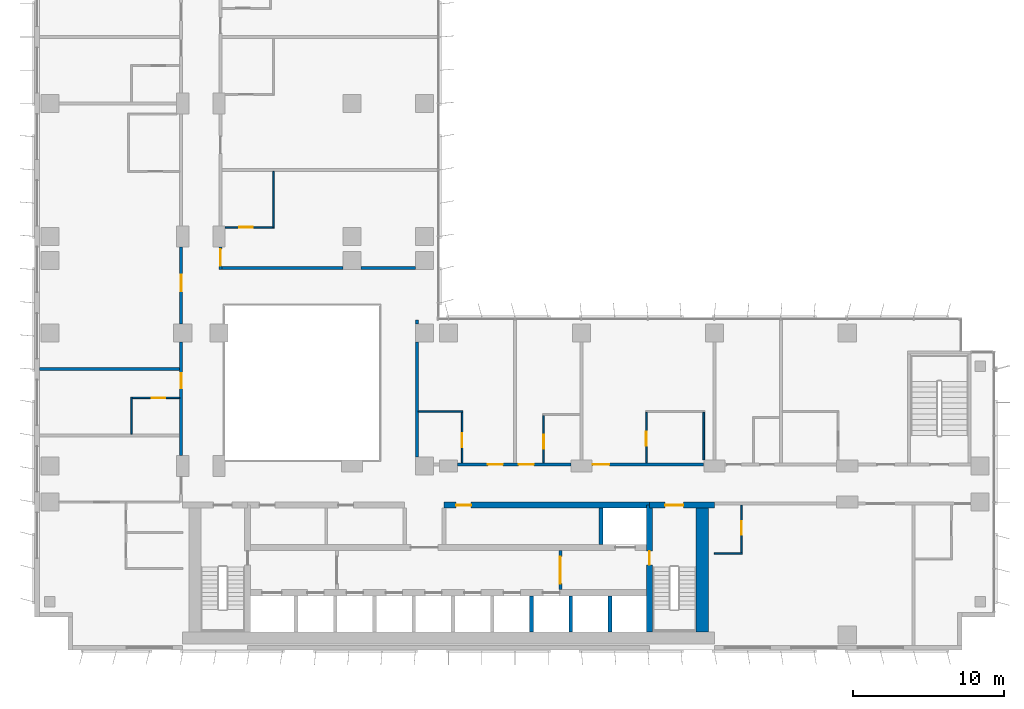
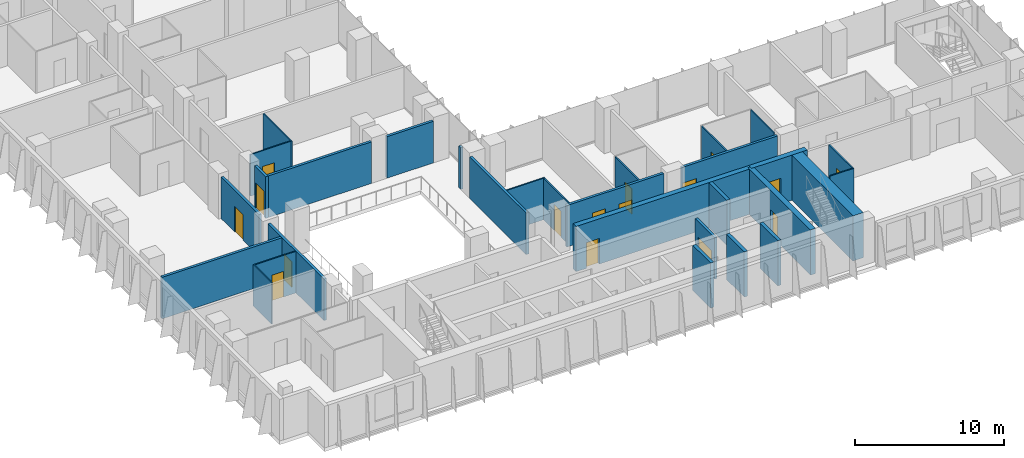
# One storey, part 13 of 22: 30 walls, 16 doors, 16 openings.
"""IFC4 building model written with IfcOpenShell, lengths in metres."""

from ifc_helpers import new_model, si_unit, direction, frame, frame_2d, origin, place, context, subcontext, project, spatial, rectangle, extrude, material, layer, layer_set, type_object, element, fill, save


model = new_model("IFC4")

# Units and contexts
model_context = context("Model", 3, precision=1e-05, world=origin(), true_north=direction((0.0, 1.0)))
body_context = subcontext(model_context, "Body", "Model", "MODEL_VIEW")
ifc_project = project(units=[si_unit("LENGTHUNIT", "METRE"), si_unit("AREAUNIT", "SQUARE_METRE"), si_unit("VOLUMEUNIT", "CUBIC_METRE"), si_unit("PLANEANGLEUNIT", "RADIAN"), si_unit("MASSUNIT", "GRAM", prefix="KILO")], contexts=[model_context])

# Site, building, storey
site_placement = place(None, origin())
site = spatial("IfcSite", under=ifc_project, at=site_placement, CompositionType="ELEMENT")
building_placement = place(site_placement, origin())
building = spatial("IfcBuilding", under=site, at=building_placement, Name="Kemantara Hotel Tower", CompositionType="ELEMENT")
storey_placement = place(building_placement, frame((0.0, 0.0, 90.800048828125)))
storey = spatial("IfcBuildingStorey", under=building, at=storey_placement, Name="L21", CompositionType="ELEMENT", Elevation=90.800048828125)

# Walls
ifc_material_1 = material(Name="Concrete fc 70 MPa", Category="concrete")
ifc_layer_1 = layer(ifc_material_1, 0.25)
ifc_layer_set_1 = layer_set([ifc_layer_1], Name="Concrete fc 70 MPa")
wall_type_1 = type_object("IfcWallType", Name="CORE WALL 250 FC70", PredefinedType="SHEAR", material=ifc_layer_set_1)
for number, where, z_axis, x_axis, name in (
    (1, (32.89990234375, 1.199951171875, 0.0), (0.0, 0.0, 1.0), (0.0, 1.0, 0.0), "CORE WALL CW-DS32.9"),
    (2, (35.5, 1.199951171875, 0.0), (0.0, 0.0, 1.0), (0.0, 1.0, 0.0), "CORE WALL CW-DS35.5"),
    (3, (38.10009765625, 1.199951171875, 0.0), (0.0, 0.0, 1.0), (0.0, 1.0, 0.0), "CORE WALL CW-DS38.1"),
):
    element("IfcWall", number, at=place(storey_placement, frame(where, z_axis=z_axis, x_axis=x_axis)), inside=storey, type_object=wall_type_1, Name=name, PredefinedType="SHEAR", context=body_context, shape_type="SweptSolid", body=[
        extrude(rectangle(XDim=2.400146484375, YDim=0.25, at=frame_2d((1.2001953125, 0.0))), origin(), (0.0, 0.0, 1.0), 3.699951171875),
    ])
wall_1_placement = place(storey_placement, frame((37.5, 7.0, 0.0), z_axis=(0.0, 0.0, 1.0), x_axis=(0.0, 1.0, 0.0)))
element("IfcWall", 4, at=wall_1_placement, inside=storey, type_object=wall_type_1, Name="CORE WALL CW-DN37.5", PredefinedType="SHEAR", context=body_context, shape_type="SweptSolid", body=[
    extrude(rectangle(XDim=2.39990234375, YDim=0.25, at=frame_2d((1.199951171875, 0.0))), origin(), (0.0, 0.0, 1.0), 3.699951171875),
])

# Wall, opening, door
ifc_layer_2 = layer(ifc_material_1, 0.39990234375)
ifc_layer_set_2 = layer_set([ifc_layer_2], Name="Concrete fc 70 MPa")
wall_type_2 = type_object("IfcWallType", Name="CORE WALL 400 FC70", PredefinedType="SHEAR", material=ifc_layer_set_2)
wall_2_placement = place(storey_placement, frame((40.699951171875, 9.60009765625, 0.0), z_axis=(0.0, 0.0, 1.0), x_axis=(1.0, 0.0, 0.0)))
wall_2 = element("IfcWall", 5, at=wall_2_placement, inside=storey, type_object=wall_type_2, Name="CORE WALL CW-N2", PredefinedType="SHEAR", context=body_context, shape_type="SweptSolid", body=[
    extrude(rectangle(XDim=4.300048828125, YDim=0.39990234375, at=frame_2d((2.14990234375, 0.0))), origin(), (0.0, 0.0, 1.0), 3.699951171875),
])
opening_1_placement = place(wall_2_placement, frame((1.050048828125, 0.0, 0.0)))
opening_1 = element("IfcOpeningElement", 6, at=opening_1_placement, cuts=wall_2, Name="Opening C15-ST2-C", PredefinedType="OPENING", context=body_context, shape_type="SweptSolid", body=[
    extrude(rectangle(XDim=1.199951171875, YDim=2.10009765625, at=frame_2d((0.60009765625, 1.050048828125))), frame((0.0, 0.2099609375, 0.0), z_axis=(0.0, -1.0, 0.0), x_axis=(1.0, 0.0, 0.0)), (0.0, 0.0, 1.0), 0.419921875),
])
ifc_material_2 = material(Name="Steel fire door", Category="steel")
door_type_1 = type_object("IfcDoorType", Name="Fire door FD90 1200 x 2100", OperationType="NOTDEFINED", PredefinedType="DOOR", material=ifc_material_2)
door_1_placement = place(opening_1_placement, frame((1.199951171875, 0.0, 0.0), z_axis=(0.0, 0.0, 1.0), x_axis=(-1.0, 0.0, 0.0)))
door_1 = element("IfcDoor", 7, at=door_1_placement, inside=storey, type_object=door_type_1, Name="Stair ST2 door to corridor", OperationType="SINGLE_SWING_RIGHT", OverallHeight=2.10009765625, OverallWidth=1.199951171875, PredefinedType="DOOR", context=body_context, shape_type="SweptSolid", body=[
    extrude(rectangle(XDim=1.199951171875, YDim=2.10009765625, at=frame_2d((0.60009765625, 1.050048828125))), frame((0.0, 0.02490234375, 0.0), z_axis=(0.0, -1.0, 0.0), x_axis=(1.0, 0.0, 0.0)), (0.0, 0.0, 1.0), 0.050048828125),
])
fill(opening_1, door_1)

wall_3_placement = place(storey_placement, frame((27.10009765625, 9.60009765625, 0.0), z_axis=(0.0, 0.0, 1.0), x_axis=(1.0, 0.0, 0.0)))
wall_3 = element("IfcWall", 8, at=wall_3_placement, inside=storey, type_object=wall_type_2, Name="CORE WALL CW-NN2", PredefinedType="SHEAR", context=body_context, shape_type="SweptSolid", body=[
    extrude(rectangle(XDim=13.599853515625, YDim=0.39990234375, at=frame_2d((6.7998046875, 0.0))), origin(), (0.0, 0.0, 1.0), 3.699951171875),
])
opening_2_placement = place(wall_3_placement, frame((0.800048828125, 0.0, 0.0)))
opening_2 = element("IfcOpeningElement", 9, at=opening_2_placement, cuts=wall_3, Name="Opening C15-R-NE1", PredefinedType="OPENING", context=body_context, shape_type="SweptSolid", body=[
    extrude(rectangle(XDim=1.0, YDim=2.10009765625, at=frame_2d((0.5, 1.050048828125))), frame((0.0, 0.2099609375, 0.0), z_axis=(0.0, -1.0, 0.0), x_axis=(1.0, 0.0, 0.0)), (0.0, 0.0, 1.0), 0.419921875),
])
door_type_2 = type_object("IfcDoorType", Name="Fire door FD30S 1000 x 2100", OperationType="NOTDEFINED", PredefinedType="DOOR", material=ifc_material_2)
door_2_placement = place(opening_2_placement, frame((1.0, 0.0, 0.0), z_axis=(0.0, 0.0, 1.0), x_axis=(-1.0, 0.0, 0.0)))
door_2 = element("IfcDoor", 10, at=door_2_placement, inside=storey, type_object=door_type_2, Name="Luggage Store door", OperationType="SINGLE_SWING_RIGHT", OverallHeight=2.10009765625, OverallWidth=1.0, PredefinedType="DOOR", context=body_context, shape_type="SweptSolid", body=[
    extrude(rectangle(XDim=1.0, YDim=2.10009765625, at=frame_2d((0.5, 1.050048828125))), frame((0.0, 0.02490234375, 0.0), z_axis=(0.0, -1.0, 0.0), x_axis=(1.0, 0.0, 0.0)), (0.0, 0.0, 1.0), 0.050048828125),
])
fill(opening_2, door_2)

wall_4_placement = place(storey_placement, frame((40.699951171875, 1.199951171875, 0.0), z_axis=(0.0, 0.0, 1.0), x_axis=(0.0, 1.0, 0.0)))
wall_4 = element("IfcWall", 11, at=wall_4_placement, inside=storey, type_object=wall_type_2, Name="CORE WALL CW-ST2W", PredefinedType="SHEAR", context=body_context, shape_type="SweptSolid", body=[
    extrude(rectangle(XDim=8.400146484375, YDim=0.39990234375, at=frame_2d((4.2001953125, 0.0))), origin(), (0.0, 0.0, 1.0), 3.699951171875),
])
opening_3_placement = place(wall_4_placement, frame((4.449951171875, 0.0, 0.0)))
opening_3 = element("IfcOpeningElement", 12, at=opening_3_placement, cuts=wall_4, Name="Opening C15-ST2-F", PredefinedType="OPENING", context=body_context, shape_type="SweptSolid", body=[
    extrude(rectangle(XDim=0.89990234375, YDim=2.10009765625, at=frame_2d((0.449951171875, 1.050048828125))), frame((0.0, 0.2099609375, 0.0), z_axis=(0.0, -1.0, 0.0), x_axis=(1.0, 0.0, 0.0)), (0.0, 0.0, 1.0), 0.419921875),
])
door_type_3 = type_object("IfcDoorType", Name="Fire door FD90 900 x 2100", OperationType="NOTDEFINED", PredefinedType="DOOR", material=ifc_material_2)
door_3_placement = place(opening_3_placement, frame((0.89990234375, 0.0, 0.0), z_axis=(0.0, 0.0, 1.0), x_axis=(-1.0, 0.0, 0.0)))
door_3 = element("IfcDoor", 13, at=door_3_placement, inside=storey, type_object=door_type_3, Name="Stair ST2 door to firefighting lobby", OperationType="SINGLE_SWING_LEFT", OverallHeight=2.10009765625, OverallWidth=0.89990234375, PredefinedType="DOOR", context=body_context, shape_type="SweptSolid", body=[
    extrude(rectangle(XDim=0.89990234375, YDim=2.10009765625, at=frame_2d((0.449951171875, 1.050048828125))), frame((0.0, 0.02490234375, 0.0), z_axis=(0.0, -1.0, 0.0), x_axis=(1.0, 0.0, 0.0)), (0.0, 0.0, 1.0), 0.050048828125),
])
fill(opening_3, door_3)

# Wall
ifc_layer_3 = layer(ifc_material_1, 0.800048828125)
ifc_layer_set_3 = layer_set([ifc_layer_3], Name="Concrete fc 70 MPa")
wall_type_3 = type_object("IfcWallType", Name="CORE WALL 800 FC70", PredefinedType="SHEAR", material=ifc_layer_set_3)
wall_5_placement = place(storey_placement, frame((44.199951171875, 1.199951171875, 0.0), z_axis=(0.0, 0.0, 1.0), x_axis=(0.0, 1.0, 0.0)))
element("IfcWall", 14, at=wall_5_placement, inside=storey, type_object=wall_type_3, Name="CORE WALL CW-E", PredefinedType="SHEAR", context=body_context, shape_type="SweptSolid", body=[
    extrude(rectangle(XDim=8.60009765625, YDim=0.800048828125, at=frame_2d((4.300048828125, 0.0))), origin(), (0.0, 0.0, 1.0), 3.699951171875),
])

# Wall, openings, doors
ifc_material_3 = material(Name="Gypsum board partition, steel studs and mineral wool, 200 mm", Category="steel")
ifc_layer_4 = layer(ifc_material_3, 0.199951171875)
ifc_layer_set_4 = layer_set([ifc_layer_4], Name="Gypsum board partition, steel studs and mineral wool, 200 mm")
wall_type_4 = type_object("IfcWallType", Name="CORRIDOR WALL 200", PredefinedType="PARTITIONING", material=ifc_layer_set_4)
wall_6_placement = place(storey_placement, frame((28.0, 12.300048828125, 0.0), z_axis=(0.0, 0.0, 1.0), x_axis=(1.0, 0.0, 0.0)))
wall_6 = element("IfcWall", 15, at=wall_6_placement, inside=storey, type_object=wall_type_4, Name="CORRIDOR WALL 200 005", PredefinedType="PARTITIONING", context=body_context, shape_type="SweptSolid", body=[
    extrude(rectangle(XDim=7.5, YDim=0.199951171875, at=frame_2d((3.75, 0.0))), origin(), (0.0, 0.0, 1.0), 3.39990234375),
])
opening_4_placement = place(wall_6_placement, frame((2.0, 0.0, 0.0)))
opening_4 = element("IfcOpeningElement", 16, at=opening_4_placement, cuts=wall_6, Name="Opening F08-005", PredefinedType="OPENING", context=body_context, shape_type="SweptSolid", body=[
    extrude(rectangle(XDim=1.0, YDim=2.10009765625, at=frame_2d((0.5, 1.050048828125))), frame((0.0, 0.10986328125, 0.0), z_axis=(0.0, -1.0, 0.0), x_axis=(1.0, 0.0, 0.0)), (0.0, 0.0, 1.0), 0.219970703125),
])
opening_5_placement = place(wall_6_placement, frame((4.0498046875, 0.0, 0.0)))
opening_5 = element("IfcOpeningElement", 17, at=opening_5_placement, cuts=wall_6, Name="Opening F08-007", PredefinedType="OPENING", context=body_context, shape_type="SweptSolid", body=[
    extrude(rectangle(XDim=1.0, YDim=2.10009765625, at=frame_2d((0.5, 1.050048828125))), frame((0.0, 0.10986328125, 0.0), z_axis=(0.0, -1.0, 0.0), x_axis=(1.0, 0.0, 0.0)), (0.0, 0.0, 1.0), 0.219970703125),
])
ifc_material_4 = material(Name="Hardwood veneer door leaf with steel frame", Category="steel")
door_type_4 = type_object("IfcDoorType", Name="GUEST ROOM DOOR 1000 X 2100 FD30S", OperationType="NOTDEFINED", PredefinedType="DOOR", material=ifc_material_4)
door_4_placement = place(opening_4_placement, origin())
door_4 = element("IfcDoor", 18, at=door_4_placement, inside=storey, type_object=door_type_4, Name="GUEST ROOM DOOR F08-005", OperationType="SINGLE_SWING_RIGHT", OverallHeight=2.10009765625, OverallWidth=1.0, PredefinedType="DOOR", context=body_context, shape_type="SweptSolid", body=[
    extrude(rectangle(XDim=1.0, YDim=2.10009765625, at=frame_2d((0.5, 1.050048828125))), frame((0.0, 0.02490234375, 0.0), z_axis=(0.0, -1.0, 0.0), x_axis=(1.0, 0.0, 0.0)), (0.0, 0.0, 1.0), 0.050048828125),
])
fill(opening_4, door_4)
door_5_placement = place(opening_5_placement, origin())
door_5 = element("IfcDoor", 19, at=door_5_placement, inside=storey, type_object=door_type_4, Name="GUEST ROOM DOOR F08-007", OperationType="SINGLE_SWING_LEFT", OverallHeight=2.10009765625, OverallWidth=1.0, PredefinedType="DOOR", context=body_context, shape_type="SweptSolid", body=[
    extrude(rectangle(XDim=1.0, YDim=2.10009765625, at=frame_2d((0.5, 1.050048828125))), frame((0.0, 0.02490234375, 0.0), z_axis=(0.0, -1.0, 0.0), x_axis=(1.0, 0.0, 0.0)), (0.0, 0.0, 1.0), 0.050048828125),
])
fill(opening_5, door_5)

# Wall, opening, door
wall_7_placement = place(storey_placement, frame((36.900146484375, 12.300048828125, 0.0), z_axis=(0.0, 0.0, 1.0), x_axis=(1.0, 0.0, 0.0)))
wall_7 = element("IfcWall", 20, at=wall_7_placement, inside=storey, type_object=wall_type_4, Name="CORRIDOR WALL 200 006", PredefinedType="PARTITIONING", context=body_context, shape_type="SweptSolid", body=[
    extrude(rectangle(XDim=7.399658203125, YDim=0.199951171875, at=frame_2d((3.69970703125, 0.0))), origin(), (0.0, 0.0, 1.0), 3.39990234375),
])
opening_6_placement = place(wall_7_placement, frame((0.0498046875, 0.0, 0.0)))
opening_6 = element("IfcOpeningElement", 21, at=opening_6_placement, cuts=wall_7, Name="Opening F08-009", PredefinedType="OPENING", context=body_context, shape_type="SweptSolid", body=[
    extrude(rectangle(XDim=1.10009765625, YDim=2.10009765625, at=frame_2d((0.550048828125, 1.050048828125))), frame((0.0, 0.10986328125, 0.0), z_axis=(0.0, -1.0, 0.0), x_axis=(1.0, 0.0, 0.0)), (0.0, 0.0, 1.0), 0.219970703125),
])
door_type_5 = type_object("IfcDoorType", Name="SUITE ENTRANCE DOOR 1100 X 2100 FD30S", OperationType="NOTDEFINED", PredefinedType="DOOR", material=ifc_material_4)
door_6_placement = place(opening_6_placement, origin())
door_6 = element("IfcDoor", 22, at=door_6_placement, inside=storey, type_object=door_type_5, Name="SUITE ENTRANCE DOOR F08-009", OperationType="SINGLE_SWING_LEFT", OverallHeight=2.10009765625, OverallWidth=1.10009765625, PredefinedType="DOOR", context=body_context, shape_type="SweptSolid", body=[
    extrude(rectangle(XDim=1.10009765625, YDim=2.10009765625, at=frame_2d((0.550048828125, 1.050048828125))), frame((0.0, 0.02490234375, 0.0), z_axis=(0.0, -1.0, 0.0), x_axis=(1.0, 0.0, 0.0)), (0.0, 0.0, 1.0), 0.050048828125),
])
fill(opening_6, door_6)

wall_8_placement = place(storey_placement, frame((9.699951171875, 12.900146484375, 0.0), z_axis=(0.0, 0.0, 1.0), x_axis=(0.0, 1.0, 0.0)))
wall_8 = element("IfcWall", 23, at=wall_8_placement, inside=storey, type_object=wall_type_4, Name="CORRIDOR WALL 200 016", PredefinedType="PARTITIONING", context=body_context, shape_type="SweptSolid", body=[
    extrude(rectangle(XDim=7.499755859375, YDim=0.199951171875, at=frame_2d((3.75, 0.0))), origin(), (0.0, 0.0, 1.0), 3.39990234375),
])
opening_7_placement = place(wall_8_placement, frame((4.449951171875, 0.0, 0.0)))
opening_7 = element("IfcOpeningElement", 24, at=opening_7_placement, cuts=wall_8, Name="Opening F08-019", PredefinedType="OPENING", context=body_context, shape_type="SweptSolid", body=[
    extrude(rectangle(XDim=1.0, YDim=2.10009765625, at=frame_2d((0.5, 1.050048828125))), frame((0.0, 0.10986328125, 0.0), z_axis=(0.0, -1.0, 0.0), x_axis=(1.0, 0.0, 0.0)), (0.0, 0.0, 1.0), 0.219970703125),
])
door_7_placement = place(opening_7_placement, origin())
door_7 = element("IfcDoor", 25, at=door_7_placement, inside=storey, type_object=door_type_4, Name="GUEST ROOM DOOR F08-019", OperationType="SINGLE_SWING_RIGHT", OverallHeight=2.10009765625, OverallWidth=1.0, PredefinedType="DOOR", context=body_context, shape_type="SweptSolid", body=[
    extrude(rectangle(XDim=1.0, YDim=2.10009765625, at=frame_2d((0.5, 1.050048828125))), frame((0.0, 0.02490234375, 0.0), z_axis=(0.0, -1.0, 0.0), x_axis=(1.0, 0.0, 0.0)), (0.0, 0.0, 1.0), 0.050048828125),
])
fill(opening_7, door_7)

wall_9_placement = place(storey_placement, frame((9.699951171875, 21.60009765625, 0.0), z_axis=(0.0, 0.0, 1.0), x_axis=(0.0, 1.0, 0.0)))
wall_9 = element("IfcWall", 26, at=wall_9_placement, inside=storey, type_object=wall_type_4, Name="CORRIDOR WALL 200 017", PredefinedType="PARTITIONING", context=body_context, shape_type="SweptSolid", body=[
    extrude(rectangle(XDim=5.099853515625, YDim=0.199951171875, at=frame_2d((2.5498046875, 0.0))), origin(), (0.0, 0.0, 1.0), 3.39990234375),
])
opening_8_placement = place(wall_9_placement, frame((2.14990234375, 0.0, 0.0)))
opening_8 = element("IfcOpeningElement", 27, at=opening_8_placement, cuts=wall_9, Name="Opening F08-021", PredefinedType="OPENING", context=body_context, shape_type="SweptSolid", body=[
    extrude(rectangle(XDim=1.10009765625, YDim=2.10009765625, at=frame_2d((0.550048828125, 1.050048828125))), frame((0.0, 0.10986328125, 0.0), z_axis=(0.0, -1.0, 0.0), x_axis=(1.0, 0.0, 0.0)), (0.0, 0.0, 1.0), 0.219970703125),
])
door_8_placement = place(opening_8_placement, origin())
door_8 = element("IfcDoor", 28, at=door_8_placement, inside=storey, type_object=door_type_5, Name="SUITE ENTRANCE DOOR F08-021", OperationType="SINGLE_SWING_LEFT", OverallHeight=2.10009765625, OverallWidth=1.10009765625, PredefinedType="DOOR", context=body_context, shape_type="SweptSolid", body=[
    extrude(rectangle(XDim=1.10009765625, YDim=2.10009765625, at=frame_2d((0.550048828125, 1.050048828125))), frame((0.0, 0.02490234375, 0.0), z_axis=(0.0, -1.0, 0.0), x_axis=(1.0, 0.0, 0.0)), (0.0, 0.0, 1.0), 0.050048828125),
])
fill(opening_8, door_8)

wall_10_placement = place(storey_placement, frame((12.300048828125, 26.699951171875, 0.0), z_axis=(0.0, 0.0, 1.0), x_axis=(0.0, -1.0, 0.0)))
wall_10 = element("IfcWall", 29, at=wall_10_placement, inside=storey, type_object=wall_type_4, Name="CORRIDOR WALL 200 030", PredefinedType="PARTITIONING", context=body_context, shape_type="SweptSolid", body=[
    extrude(rectangle(XDim=1.5, YDim=0.199951171875, at=frame_2d((0.75, 0.0))), origin(), (0.0, 0.0, 1.0), 3.39990234375),
])
opening_9_placement = place(wall_10_placement, frame((0.14990234375, 0.0, 0.0)))
opening_9 = element("IfcOpeningElement", 30, at=opening_9_placement, cuts=wall_10, Name="Opening F08-033", PredefinedType="OPENING", context=body_context, shape_type="SweptSolid", body=[
    extrude(rectangle(XDim=1.10009765625, YDim=2.10009765625, at=frame_2d((0.550048828125, 1.050048828125))), frame((0.0, 0.10986328125, 0.0), z_axis=(0.0, -1.0, 0.0), x_axis=(1.0, 0.0, 0.0)), (0.0, 0.0, 1.0), 0.219970703125),
])
door_9_placement = place(opening_9_placement, origin())
door_9 = element("IfcDoor", 31, at=door_9_placement, inside=storey, type_object=door_type_5, Name="SUITE ENTRANCE DOOR F08-033", OperationType="SINGLE_SWING_RIGHT", OverallHeight=2.10009765625, OverallWidth=1.10009765625, PredefinedType="DOOR", context=body_context, shape_type="SweptSolid", body=[
    extrude(rectangle(XDim=1.10009765625, YDim=2.10009765625, at=frame_2d((0.550048828125, 1.050048828125))), frame((0.0, 0.02490234375, 0.0), z_axis=(0.0, -1.0, 0.0), x_axis=(1.0, 0.0, 0.0)), (0.0, 0.0, 1.0), 0.050048828125),
])
fill(opening_9, door_9)

# Walls
ifc_layer_5 = layer(ifc_material_3, 0.199951171875)
ifc_layer_set_5 = layer_set([ifc_layer_5], Name="Gypsum board partition, steel studs and mineral wool, 200 mm")
wall_type_5 = type_object("IfcWallType", Name="GUEST ROOM PARTY WALL 200", PredefinedType="PARTITIONING", material=ifc_layer_set_5)
wall_11_placement = place(storey_placement, frame((25.300048828125, 12.800048828125, 0.0), z_axis=(0.0, 0.0, 1.0), x_axis=(0.0, 1.0, 0.0)))
element("IfcWall", 32, at=wall_11_placement, inside=storey, type_object=wall_type_5, Name="GUEST ROOM PARTY WALL 200 009", PredefinedType="PARTITIONING", context=body_context, shape_type="SweptSolid", body=[
    extrude(rectangle(XDim=7.599853515625, YDim=0.199951171875, at=frame_2d((3.7998046875, 0.0))), origin(), (0.0, 0.0, 1.0), 3.39990234375),
])
wall_12_placement = place(storey_placement, frame((25.300048828125, 21.60009765625, 0.0), z_axis=(0.0, 0.0, 1.0), x_axis=(0.0, 1.0, 0.0)))
element("IfcWall", 33, at=wall_12_placement, inside=storey, type_object=wall_type_5, Name="GUEST ROOM PARTY WALL 200 010", PredefinedType="PARTITIONING", context=body_context, shape_type="SweptSolid", body=[
    extrude(rectangle(XDim=0.27001953125, YDim=0.199951171875, at=frame_2d((0.135009765625, 0.0))), origin(), (0.0, 0.0, 1.0), 3.39990234375),
])
wall_13_placement = place(storey_placement, frame((0.31005859375, 18.60009765625, 0.0), z_axis=(0.0, 0.0, 1.0), x_axis=(1.0, 0.0, 0.0)))
element("IfcWall", 34, at=wall_13_placement, inside=storey, type_object=wall_type_5, Name="GUEST ROOM PARTY WALL 200 025", PredefinedType="PARTITIONING", context=body_context, shape_type="SweptSolid", body=[
    extrude(rectangle(XDim=9.2900390625, YDim=0.199951171875, at=frame_2d((4.64501953125, 0.0))), origin(), (0.0, 0.0, 1.0), 3.39990234375),
])
wall_14_placement = place(storey_placement, frame((12.39990234375, 25.300048828125, 0.0), z_axis=(0.0, 0.0, 1.0), x_axis=(1.0, 0.0, 0.0)))
element("IfcWall", 35, at=wall_14_placement, inside=storey, type_object=wall_type_5, Name="GUEST ROOM PARTY WALL 200 037", PredefinedType="PARTITIONING", context=body_context, shape_type="SweptSolid", body=[
    extrude(rectangle(XDim=8.0, YDim=0.199951171875, at=frame_2d((4.0, 0.0))), origin(), (0.0, 0.0, 1.0), 3.39990234375),
])
wall_15_placement = place(storey_placement, frame((21.60009765625, 25.300048828125, 0.0), z_axis=(0.0, 0.0, 1.0), x_axis=(1.0, 0.0, 0.0)))
element("IfcWall", 36, at=wall_15_placement, inside=storey, type_object=wall_type_5, Name="GUEST ROOM PARTY WALL 200 038", PredefinedType="PARTITIONING", context=body_context, shape_type="SweptSolid", body=[
    extrude(rectangle(XDim=3.599853515625, YDim=0.199951171875, at=frame_2d((1.7998046875, 0.0))), origin(), (0.0, 0.0, 1.0), 3.39990234375),
])

# Wall, opening, door
ifc_material_5 = material(Name="Gypsum board shaft wall")
ifc_layer_6 = layer(ifc_material_5, 0.199951171875)
ifc_layer_set_6 = layer_set([ifc_layer_6], Name="Gypsum board shaft wall")
wall_type_6 = type_object("IfcWallType", Name="Gypsum board shaft wall 200 mm", PredefinedType="PARTITIONING", material=ifc_layer_set_6)
wall_16_placement = place(storey_placement, frame((34.800048828125, 4.0, 0.0), z_axis=(0.0, 0.0, 1.0), x_axis=(0.0, 1.0, 0.0)))
wall_16 = element("IfcWall", 37, at=wall_16_placement, inside=storey, type_object=wall_type_6, Name="Firefighting lobby partition east", PredefinedType="PARTITIONING", context=body_context, shape_type="SweptSolid", body=[
    extrude(rectangle(XDim=2.60009765625, YDim=0.199951171875, at=frame_2d((1.300048828125, 0.0))), origin(), (0.0, 0.0, 1.0), 3.39990234375),
])
opening_10_placement = place(wall_16_placement, frame((0.39990234375, 0.0, 0.0)))
opening_10 = element("IfcOpeningElement", 38, at=opening_10_placement, cuts=wall_16, Name="Opening C15-FFE", PredefinedType="OPENING", context=body_context, shape_type="SweptSolid", body=[
    extrude(rectangle(XDim=1.800048828125, YDim=2.10009765625, at=frame_2d((0.89990234375, 1.050048828125))), frame((0.0, 0.10986328125, 0.0), z_axis=(0.0, -1.0, 0.0), x_axis=(1.0, 0.0, 0.0)), (0.0, 0.0, 1.0), 0.219970703125),
])
door_type_6 = type_object("IfcDoorType", Name="Fire door pair FD60 1800 x 2100", OperationType="DOUBLE_DOOR_SINGLE_SWING", PredefinedType="DOOR", material=ifc_material_2)
door_10_placement = place(opening_10_placement, frame((1.800048828125, 0.0, 0.0), z_axis=(0.0, 0.0, 1.0), x_axis=(-1.0, 0.0, 0.0)))
door_10 = element("IfcDoor", 39, at=door_10_placement, inside=storey, type_object=door_type_6, Name="Firefighting lobby door east", OperationType="DOUBLE_DOOR_SINGLE_SWING", OverallHeight=2.10009765625, OverallWidth=1.800048828125, PredefinedType="DOOR", context=body_context, shape_type="SweptSolid", body=[
    extrude(rectangle(XDim=1.800048828125, YDim=2.10009765625, at=frame_2d((0.89990234375, 1.050048828125))), frame((0.0, 0.02490234375, 0.0), z_axis=(0.0, -1.0, 0.0), x_axis=(1.0, 0.0, 0.0)), (0.0, 0.0, 1.0), 0.050048828125),
])
fill(opening_10, door_10)

# Wall
ifc_material_6 = material(Name="Gypsum board partition on steel studs, 100 mm", Category="steel")
ifc_layer_7 = layer(ifc_material_6, 0.10009765625)
ifc_layer_set_7 = layer_set([ifc_layer_7], Name="Gypsum board partition on steel studs, 100 mm")
wall_type_7 = type_object("IfcWallType", Name="ROOM PARTITION 100", PredefinedType="PARTITIONING", material=ifc_layer_set_7)
wall_17_placement = place(storey_placement, frame((45.0, 6.39990234375, 0.0), z_axis=(0.0, 0.0, 1.0), x_axis=(1.0, 0.0, 0.0)))
element("IfcWall", 40, at=wall_17_placement, inside=storey, type_object=wall_type_7, Name="ROOM PARTITION 100 050", PredefinedType="PARTITIONING", context=body_context, shape_type="SweptSolid", body=[
    extrude(rectangle(XDim=1.85009765625, YDim=0.10009765625, at=frame_2d((0.925048828125, 0.0))), origin(), (0.0, 0.0, 1.0), 3.39990234375),
])

# Wall, opening, door
wall_18_placement = place(storey_placement, frame((46.800048828125, 6.449951171875, 0.0), z_axis=(0.0, 0.0, 1.0), x_axis=(0.0, 1.0, 0.0)))
wall_18 = element("IfcWall", 41, at=wall_18_placement, inside=storey, type_object=wall_type_7, Name="ROOM PARTITION 100 051", PredefinedType="PARTITIONING", context=body_context, shape_type="SweptSolid", body=[
    extrude(rectangle(XDim=3.150146484375, YDim=0.10009765625, at=frame_2d((1.5751953125, 0.0))), origin(), (0.0, 0.0, 1.0), 3.39990234375),
])
opening_11_placement = place(wall_18_placement, frame((1.199951171875, 0.0, 0.0)))
opening_11 = element("IfcOpeningElement", 42, at=opening_11_placement, cuts=wall_18, Name="Opening F08-002", PredefinedType="OPENING", context=body_context, shape_type="SweptSolid", body=[
    extrude(rectangle(XDim=0.89990234375, YDim=2.10009765625, at=frame_2d((0.449951171875, 1.050048828125))), frame((0.0, 0.06005859375, 0.0), z_axis=(0.0, -1.0, 0.0), x_axis=(1.0, 0.0, 0.0)), (0.0, 0.0, 1.0), 0.1201171875),
])
door_type_7 = type_object("IfcDoorType", Name="INTERNAL DOOR 900 X 2100", OperationType="NOTDEFINED", PredefinedType="DOOR", material=ifc_material_4)
door_11_placement = place(opening_11_placement, origin())
door_11 = element("IfcDoor", 43, at=door_11_placement, inside=storey, type_object=door_type_7, Name="INTERNAL DOOR F08-002", OperationType="SINGLE_SWING_RIGHT", OverallHeight=2.10009765625, OverallWidth=0.89990234375, PredefinedType="DOOR", context=body_context, shape_type="SweptSolid", body=[
    extrude(rectangle(XDim=0.89990234375, YDim=2.10009765625, at=frame_2d((0.449951171875, 1.050048828125))), frame((0.0, 0.02490234375, 0.0), z_axis=(0.0, -1.0, 0.0), x_axis=(1.0, 0.0, 0.0)), (0.0, 0.0, 1.0), 0.050048828125),
])
fill(opening_11, door_11)

# Wall
wall_19_placement = place(storey_placement, frame((25.39990234375, 15.800048828125, 0.0), z_axis=(0.0, 0.0, 1.0), x_axis=(1.0, 0.0, 0.0)))
element("IfcWall", 44, at=wall_19_placement, inside=storey, type_object=wall_type_7, Name="ROOM PARTITION 100 054", PredefinedType="PARTITIONING", context=body_context, shape_type="SweptSolid", body=[
    extrude(rectangle(XDim=2.9501953125, YDim=0.10009765625, at=frame_2d((1.47509765625, 0.0))), origin(), (0.0, 0.0, 1.0), 3.39990234375),
])

# Wall, opening, door
wall_20_placement = place(storey_placement, frame((28.300048828125, 12.39990234375, 0.0), z_axis=(0.0, 0.0, 1.0), x_axis=(0.0, 1.0, 0.0)))
wall_20 = element("IfcWall", 45, at=wall_20_placement, inside=storey, type_object=wall_type_7, Name="ROOM PARTITION 100 057", PredefinedType="PARTITIONING", context=body_context, shape_type="SweptSolid", body=[
    extrude(rectangle(XDim=3.35009765625, YDim=0.10009765625, at=frame_2d((1.675048828125, 0.0))), origin(), (0.0, 0.0, 1.0), 3.39990234375),
])
opening_12_placement = place(wall_20_placement, frame((1.050048828125, 0.0, 0.0)))
opening_12 = element("IfcOpeningElement", 46, at=opening_12_placement, cuts=wall_20, Name="Opening F08-006", PredefinedType="OPENING", context=body_context, shape_type="SweptSolid", body=[
    extrude(rectangle(XDim=0.89990234375, YDim=2.10009765625, at=frame_2d((0.449951171875, 1.050048828125))), frame((0.0, 0.06005859375, 0.0), z_axis=(0.0, -1.0, 0.0), x_axis=(1.0, 0.0, 0.0)), (0.0, 0.0, 1.0), 0.1201171875),
])
door_type_8 = type_object("IfcDoorType", Name="BATHROOM DOOR 900 X 2100", OperationType="NOTDEFINED", PredefinedType="DOOR", material=ifc_material_4)
door_12_placement = place(opening_12_placement, origin())
door_12 = element("IfcDoor", 47, at=door_12_placement, inside=storey, type_object=door_type_8, Name="BATHROOM DOOR F08-006", OperationType="SINGLE_SWING_LEFT", OverallHeight=2.10009765625, OverallWidth=0.89990234375, PredefinedType="DOOR", context=body_context, shape_type="SweptSolid", body=[
    extrude(rectangle(XDim=0.89990234375, YDim=2.10009765625, at=frame_2d((0.449951171875, 1.050048828125))), frame((0.0, 0.02490234375, 0.0), z_axis=(0.0, -1.0, 0.0), x_axis=(1.0, 0.0, 0.0)), (0.0, 0.0, 1.0), 0.050048828125),
])
fill(opening_12, door_12)

wall_21_placement = place(storey_placement, frame((33.699951171875, 15.550048828125, 0.0), z_axis=(0.0, 0.0, 1.0), x_axis=(0.0, -1.0, 0.0)))
wall_21 = element("IfcWall", 48, at=wall_21_placement, inside=storey, type_object=wall_type_7, Name="ROOM PARTITION 100 059", PredefinedType="PARTITIONING", context=body_context, shape_type="SweptSolid", body=[
    extrude(rectangle(XDim=3.150146484375, YDim=0.10009765625, at=frame_2d((1.5751953125, 0.0))), origin(), (0.0, 0.0, 1.0), 3.39990234375),
])
opening_13_placement = place(wall_21_placement, frame((1.300048828125, 0.0, 0.0)))
opening_13 = element("IfcOpeningElement", 49, at=opening_13_placement, cuts=wall_21, Name="Opening F08-008", PredefinedType="OPENING", context=body_context, shape_type="SweptSolid", body=[
    extrude(rectangle(XDim=0.89990234375, YDim=2.10009765625, at=frame_2d((0.449951171875, 1.050048828125))), frame((0.0, 0.06005859375, 0.0), z_axis=(0.0, -1.0, 0.0), x_axis=(1.0, 0.0, 0.0)), (0.0, 0.0, 1.0), 0.1201171875),
])
door_13_placement = place(opening_13_placement, origin())
door_13 = element("IfcDoor", 50, at=door_13_placement, inside=storey, type_object=door_type_8, Name="BATHROOM DOOR F08-008", OperationType="SINGLE_SWING_RIGHT", OverallHeight=2.10009765625, OverallWidth=0.89990234375, PredefinedType="DOOR", context=body_context, shape_type="SweptSolid", body=[
    extrude(rectangle(XDim=0.89990234375, YDim=2.10009765625, at=frame_2d((0.449951171875, 1.050048828125))), frame((0.0, 0.02490234375, 0.0), z_axis=(0.0, -1.0, 0.0), x_axis=(1.0, 0.0, 0.0)), (0.0, 0.0, 1.0), 0.050048828125),
])
fill(opening_13, door_13)

wall_22_placement = place(storey_placement, frame((40.5, 15.75, 0.0), z_axis=(0.0, 0.0, 1.0), x_axis=(0.0, -1.0, 0.0)))
wall_22 = element("IfcWall", 51, at=wall_22_placement, inside=storey, type_object=wall_type_7, Name="ROOM PARTITION 100 060", PredefinedType="PARTITIONING", context=body_context, shape_type="SweptSolid", body=[
    extrude(rectangle(XDim=3.35009765625, YDim=0.10009765625, at=frame_2d((1.675048828125, 0.0))), origin(), (0.0, 0.0, 1.0), 3.39990234375),
])
opening_14_placement = place(wall_22_placement, frame((1.300048828125, 0.0, 0.0)))
opening_14 = element("IfcOpeningElement", 52, at=opening_14_placement, cuts=wall_22, Name="Opening F08-010", PredefinedType="OPENING", context=body_context, shape_type="SweptSolid", body=[
    extrude(rectangle(XDim=0.89990234375, YDim=2.10009765625, at=frame_2d((0.449951171875, 1.050048828125))), frame((0.0, 0.06005859375, 0.0), z_axis=(0.0, -1.0, 0.0), x_axis=(1.0, 0.0, 0.0)), (0.0, 0.0, 1.0), 0.1201171875),
])
door_14_placement = place(opening_14_placement, origin())
door_14 = element("IfcDoor", 53, at=door_14_placement, inside=storey, type_object=door_type_8, Name="BATHROOM DOOR F08-010", OperationType="SINGLE_SWING_RIGHT", OverallHeight=2.10009765625, OverallWidth=0.89990234375, PredefinedType="DOOR", context=body_context, shape_type="SweptSolid", body=[
    extrude(rectangle(XDim=0.89990234375, YDim=2.10009765625, at=frame_2d((0.449951171875, 1.050048828125))), frame((0.0, 0.02490234375, 0.0), z_axis=(0.0, -1.0, 0.0), x_axis=(1.0, 0.0, 0.0)), (0.0, 0.0, 1.0), 0.050048828125),
])
fill(opening_14, door_14)

# Walls
wall_23_placement = place(storey_placement, frame((44.300048828125, 12.60009765625, 0.0), z_axis=(0.0, 0.0, 1.0), x_axis=(0.0, 1.0, 0.0)))
element("IfcWall", 54, at=wall_23_placement, inside=storey, type_object=wall_type_7, Name="ROOM PARTITION 100 061", PredefinedType="PARTITIONING", context=body_context, shape_type="SweptSolid", body=[
    extrude(rectangle(XDim=3.14990234375, YDim=0.10009765625, at=frame_2d((1.574951171875, 0.0))), origin(), (0.0, 0.0, 1.0), 3.39990234375),
])
wall_24_placement = place(storey_placement, frame((6.39990234375, 14.300048828125, 0.0), z_axis=(0.0, 0.0, 1.0), x_axis=(0.0, 1.0, 0.0)))
element("IfcWall", 55, at=wall_24_placement, inside=storey, type_object=wall_type_7, Name="ROOM PARTITION 100 070", PredefinedType="PARTITIONING", context=body_context, shape_type="SweptSolid", body=[
    extrude(rectangle(XDim=2.449951171875, YDim=0.10009765625, at=frame_2d((1.22509765625, 0.0))), origin(), (0.0, 0.0, 1.0), 3.39990234375),
])

# Wall, opening, door
wall_25_placement = place(storey_placement, frame((9.60009765625, 16.699951171875, 0.0), z_axis=(0.0, 0.0, 1.0), x_axis=(-1.0, 0.0, 0.0)))
wall_25 = element("IfcWall", 56, at=wall_25_placement, inside=storey, type_object=wall_type_7, Name="ROOM PARTITION 100 072", PredefinedType="PARTITIONING", context=body_context, shape_type="SweptSolid", body=[
    extrude(rectangle(XDim=3.150146484375, YDim=0.10009765625, at=frame_2d((1.5751953125, 0.0))), origin(), (0.0, 0.0, 1.0), 3.39990234375),
])
opening_15_placement = place(wall_25_placement, frame((0.949951171875, 0.0, 0.0)))
opening_15 = element("IfcOpeningElement", 57, at=opening_15_placement, cuts=wall_25, Name="Opening F08-020", PredefinedType="OPENING", context=body_context, shape_type="SweptSolid", body=[
    extrude(rectangle(XDim=0.89990234375, YDim=2.10009765625, at=frame_2d((0.449951171875, 1.050048828125))), frame((0.0, 0.06005859375, 0.0), z_axis=(0.0, -1.0, 0.0), x_axis=(1.0, 0.0, 0.0)), (0.0, 0.0, 1.0), 0.1201171875),
])
door_15_placement = place(opening_15_placement, origin())
door_15 = element("IfcDoor", 58, at=door_15_placement, inside=storey, type_object=door_type_8, Name="BATHROOM DOOR F08-020", OperationType="SINGLE_SWING_LEFT", OverallHeight=2.10009765625, OverallWidth=0.89990234375, PredefinedType="DOOR", context=body_context, shape_type="SweptSolid", body=[
    extrude(rectangle(XDim=0.89990234375, YDim=2.10009765625, at=frame_2d((0.449951171875, 1.050048828125))), frame((0.0, 0.02490234375, 0.0), z_axis=(0.0, -1.0, 0.0), x_axis=(1.0, 0.0, 0.0)), (0.0, 0.0, 1.0), 0.050048828125),
])
fill(opening_15, door_15)

# Wall
wall_26_placement = place(storey_placement, frame((15.800048828125, 27.949951171875, 0.0), z_axis=(0.0, 0.0, 1.0), x_axis=(0.0, 1.0, 0.0)))
element("IfcWall", 59, at=wall_26_placement, inside=storey, type_object=wall_type_7, Name="ROOM PARTITION 100 085", PredefinedType="PARTITIONING", context=body_context, shape_type="SweptSolid", body=[
    extrude(rectangle(XDim=3.75, YDim=0.10009765625, at=frame_2d((1.875, 0.0))), origin(), (0.0, 0.0, 1.0), 3.39990234375),
])

# Wall, opening, door
wall_27_placement = place(storey_placement, frame((12.60009765625, 28.0, 0.0), z_axis=(0.0, 0.0, 1.0), x_axis=(1.0, 0.0, 0.0)))
wall_27 = element("IfcWall", 60, at=wall_27_placement, inside=storey, type_object=wall_type_7, Name="ROOM PARTITION 100 088", PredefinedType="PARTITIONING", context=body_context, shape_type="SweptSolid", body=[
    extrude(rectangle(XDim=3.14990234375, YDim=0.10009765625, at=frame_2d((1.574951171875, 0.0))), origin(), (0.0, 0.0, 1.0), 3.39990234375),
])
opening_16_placement = place(wall_27_placement, frame((0.949951171875, 0.0, 0.0)))
opening_16 = element("IfcOpeningElement", 61, at=opening_16_placement, cuts=wall_27, Name="Opening F08-034", PredefinedType="OPENING", context=body_context, shape_type="SweptSolid", body=[
    extrude(rectangle(XDim=0.89990234375, YDim=2.10009765625, at=frame_2d((0.449951171875, 1.050048828125))), frame((0.0, 0.06005859375, 0.0), z_axis=(0.0, -1.0, 0.0), x_axis=(1.0, 0.0, 0.0)), (0.0, 0.0, 1.0), 0.1201171875),
])
door_16_placement = place(opening_16_placement, origin())
door_16 = element("IfcDoor", 62, at=door_16_placement, inside=storey, type_object=door_type_8, Name="BATHROOM DOOR F08-034", OperationType="SINGLE_SWING_LEFT", OverallHeight=2.10009765625, OverallWidth=0.89990234375, PredefinedType="DOOR", context=body_context, shape_type="SweptSolid", body=[
    extrude(rectangle(XDim=0.89990234375, YDim=2.10009765625, at=frame_2d((0.449951171875, 1.050048828125))), frame((0.0, 0.02490234375, 0.0), z_axis=(0.0, -1.0, 0.0), x_axis=(1.0, 0.0, 0.0)), (0.0, 0.0, 1.0), 0.050048828125),
])
fill(opening_16, door_16)

save(model, "model.ifc")
